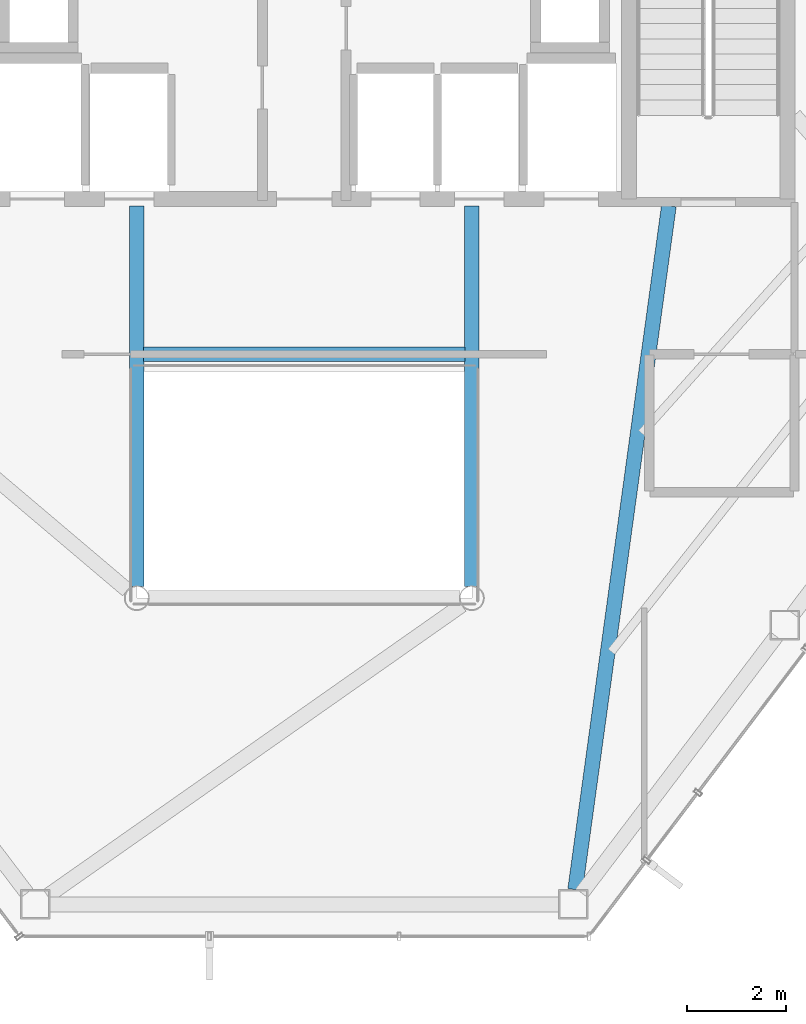
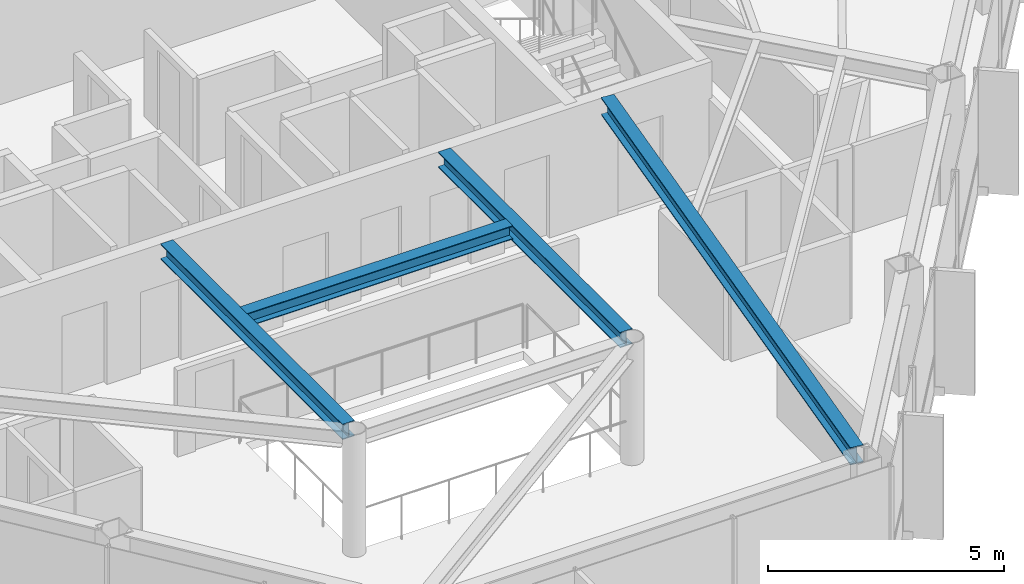
# One storey, part 9 of 27: 4 beams.
"""IFC4 building model written with IfcOpenShell, lengths in metres."""

from ifc_helpers import new_model, si_unit, direction, frame, origin, origin_2d, place, context, subcontext, project, spatial, i_section, extrude, material, material_profile, profile_set, type_object, element, save


model = new_model("IFC4")

# Units and contexts
model_context = context("Model", 3, precision=1e-05, world=origin(), true_north=direction((0.0, 1.0)))
body_context = subcontext(model_context, "Body", "Model", "MODEL_VIEW")
ifc_project = project(units=[si_unit("LENGTHUNIT", "METRE"), si_unit("AREAUNIT", "SQUARE_METRE"), si_unit("VOLUMEUNIT", "CUBIC_METRE"), si_unit("PLANEANGLEUNIT", "RADIAN"), si_unit("MASSUNIT", "GRAM", prefix="KILO")], contexts=[model_context])

# Site, building, storey
site_placement = place(None, origin())
site = spatial("IfcSite", under=ifc_project, at=site_placement, CompositionType="ELEMENT")
building_placement = place(site_placement, origin())
building = spatial("IfcBuilding", under=site, at=building_placement, Name="Zarrinselat Tower", CompositionType="ELEMENT")
storey_placement = place(building_placement, frame((0.0, 0.0, 232.56005859375)))
storey = spatial("IfcBuildingStorey", under=building, at=storey_placement, Name="L58", CompositionType="ELEMENT", Elevation=232.56005859375)

# Beams
ifc_material_1 = material(Name="Steel S355J2", Category="steel")
ifc_material_profile_1 = material_profile(ifc_material_1, i_section(OverallWidth=0.300048828125, OverallDepth=0.35009765625, WebThickness=0.010009765625, FlangeThickness=0.017578125, at=origin_2d()), Name="HEA 360")
ifc_profile_set_1 = profile_set([ifc_material_profile_1], Name="Steel S355J2")
beam_type_1 = type_object("IfcBeamType", Name="BM-HEA360", PredefinedType="LINTEL", material=ifc_profile_set_1)
beam_1_placement = place(storey_placement, frame((35.139892578125, 30.14990234375, 3.0048828125), z_axis=(1.0, 0.0, 0.0), x_axis=(0.0, 1.0, 0.0)))
element("IfcBeam", 1, at=beam_1_placement, inside=storey, type_object=beam_type_1, Name="L58 Lift Lobby Ceiling Beam", PredefinedType="LINTEL", context=body_context, shape_type="SweptSolid", body=[
    extrude(i_section(OverallWidth=0.300048828125, OverallDepth=0.35009765625, WebThickness=0.010009765625, FlangeThickness=0.017578125, at=origin_2d()), origin(), (0.0, 0.0, 1.0), 6.52001953125),
])
ifc_material_2 = material(Name="Steel S355J2", Category="steel")
ifc_material_profile_2 = material_profile(ifc_material_2, i_section(OverallWidth=0.300048828125, OverallDepth=0.39990234375, WebThickness=0.013427734375, FlangeThickness=0.02392578125, at=origin_2d()), Name="HEB 400")
ifc_profile_set_2 = profile_set([ifc_material_profile_2], Name="Steel S355J2")
beam_type_2 = type_object("IfcBeamType", Name="BM-HEB400", PredefinedType="BEAM", material=ifc_profile_set_2)
for number, where, z_axis, x_axis, name in (
    (2, (35.0, 25.43994140625, 2.97998046875), (0.0, 1.0, 0.0), (-1.0, 0.0, 0.0), "L58 Atrium Edge Beam W"),
    (3, (41.800048828125, 25.43994140625, 2.97998046875), (0.0, 1.0, 0.0), (-1.0, 0.0, 0.0), "L58 Atrium Edge Beam E"),
):
    element("IfcBeam", number, at=place(storey_placement, frame(where, z_axis=z_axis, x_axis=x_axis)), inside=storey, type_object=beam_type_2, Name=name, PredefinedType="BEAM", context=body_context, shape_type="SweptSolid", body=[
        extrude(i_section(OverallWidth=0.300048828125, OverallDepth=0.39990234375, WebThickness=0.013427734375, FlangeThickness=0.02392578125, at=origin_2d()), origin(), (0.0, 0.0, 1.0), 7.719970703125),
    ])
ifc_material_3 = material(Name="Steel S355J2", Category="steel")
ifc_material_profile_3 = material_profile(ifc_material_3, i_section(OverallWidth=0.300048828125, OverallDepth=0.449951171875, WebThickness=0.013916015625, FlangeThickness=0.02587890625, at=origin_2d()), Name="HEB 450")
ifc_profile_set_3 = profile_set([ifc_material_profile_3], Name="Steel S355J2")
beam_type_3 = type_object("IfcBeamType", Name="BM-HEB450", PredefinedType="BEAM", material=ifc_profile_set_3)
beam_2_placement = place(storey_placement, frame((43.89794921875, 19.283203125, 2.954833984375), z_axis=(0.135801555817, 0.990736058412, 0.0), x_axis=(-0.990736058412, 0.135801555817, 0.0)))
element("IfcBeam", 4, at=beam_2_placement, inside=storey, type_object=beam_type_3, Name="L58 Radial Primary Girder RG11", PredefinedType="BEAM", context=body_context, shape_type="SweptSolid", body=[
    extrude(i_section(OverallWidth=0.300048828125, OverallDepth=0.449951171875, WebThickness=0.013916015625, FlangeThickness=0.02587890625, at=origin_2d()), origin(), (0.0, 0.0, 1.0), 14.00634765625),
])

save(model, "model.ifc")
